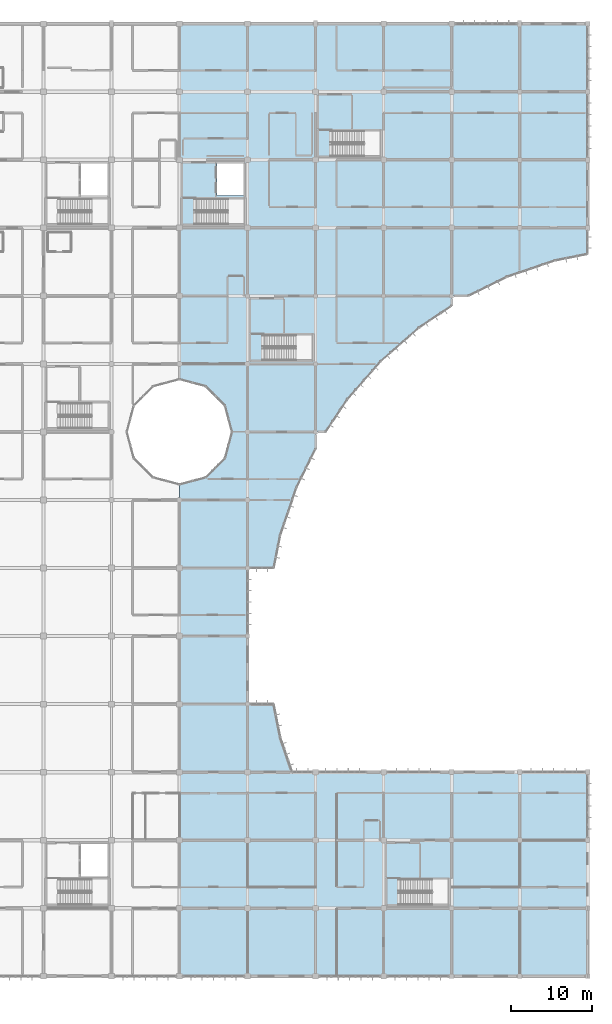
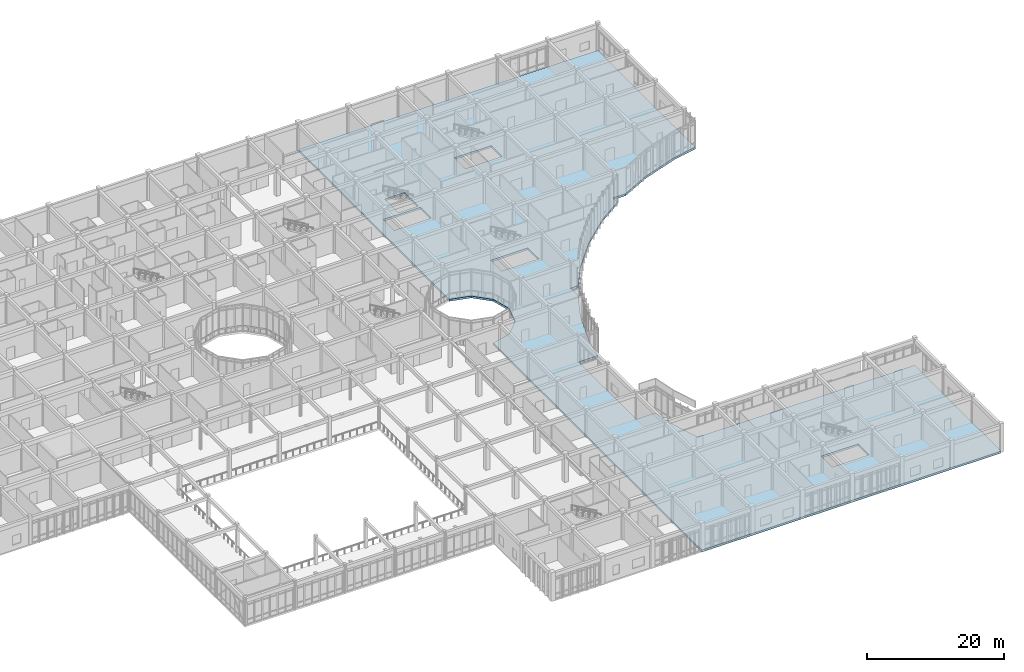
# One storey, part 83 of 134: 1 slab.
"""IFC4 building model written with IfcOpenShell, lengths in metres."""

from ifc_helpers import new_model, si_unit, direction, frame, origin, place, context, subcontext, project, spatial, polyline, outline, extrude, material, layer, layer_set, type_object, element, save


model = new_model("IFC4")

# Units and contexts
model_context = context("Model", 3, precision=1e-05, world=origin(), true_north=direction((0.0, 1.0)))
body_context = subcontext(model_context, "Body", "Model", "MODEL_VIEW")
ifc_project = project(units=[si_unit("LENGTHUNIT", "METRE"), si_unit("AREAUNIT", "SQUARE_METRE"), si_unit("VOLUMEUNIT", "CUBIC_METRE"), si_unit("PLANEANGLEUNIT", "RADIAN"), si_unit("MASSUNIT", "GRAM", prefix="KILO")], contexts=[model_context])

# Site, building, storey
site_placement = place(None, origin())
site = spatial("IfcSite", under=ifc_project, at=site_placement, CompositionType="ELEMENT")
building_placement = place(site_placement, origin())
building = spatial("IfcBuilding", under=site, at=building_placement, Name="Bramfleet General Hospital", CompositionType="ELEMENT")
storey_placement = place(building_placement, frame((0.0, 0.0, 9.300048828125)))
storey = spatial("IfcBuildingStorey", under=building, at=storey_placement, Name="L02", CompositionType="ELEMENT", Elevation=9.300048828125)

# Slab
ifc_material = material(Name="Concrete C35/45", Category="concrete")
ifc_layer = layer(ifc_material, 0.35009765625, Name="SL-FLR-350")
ifc_layer_set = layer_set([ifc_layer], Name="Concrete C35/45")
slab_type = type_object("IfcSlabType", Name="SL-FLR-350", PredefinedType="FLOOR", material=ifc_layer_set)
slab_placement = place(storey_placement, frame((0.0, 0.0, -0.35009765625)))
element("IfcSlab", 1, at=slab_placement, inside=storey, type_object=slab_type, Name="L02 Structural Floor Slab (EAST)", PredefinedType="FLOOR", context=body_context, shape_type="SweptSolid", body=[
    extrude(outline(polyline([(126.0, 117.60009765625), (134.39990234375, 117.60009765625), (142.800048828125, 117.60009765625), (151.199951171875, 117.60009765625), (159.60009765625, 117.60009765625), (168.0, 117.60009765625), (168.0, 109.199951171875), (168.0, 100.800048828125), (168.0, 92.39990234375), (168.0, 89.164794921875), (163.976806640625, 88.364501953125), (158.03125, 86.34619140625), (153.273681640625, 84.0), (151.199951171875, 84.0), (151.199951171875, 82.767333984375), (147.179443359375, 80.0810546875), (142.458984375, 75.941162109375), (138.319091796875, 71.220458984375), (135.632568359375, 67.199951171875), (134.39990234375, 67.199951171875), (134.39990234375, 65.12646484375), (132.0537109375, 60.368896484375), (130.03564453125, 54.42333984375), (129.2353515625, 50.39990234375), (126.0, 50.39990234375), (126.0, 42.0), (126.0, 33.60009765625), (129.2353515625, 33.60009765625), (130.03564453125, 29.57666015625), (131.521240234375, 25.199951171875), (168.0, 25.199951171875), (168.0, 16.800048828125), (168.0, 8.39990234375), (168.0, 0.0), (159.60009765625, 0.0), (151.199951171875, 0.0), (142.800048828125, 0.0), (134.39990234375, 0.0), (126.0, 0.0), (117.60009765625, 0.0), (117.60009765625, 60.800048828125), (120.800048828125, 61.657470703125), (123.142578125, 64.0), (124.0, 67.199951171875), (123.142578125, 70.39990234375), (120.800048828125, 72.74267578125), (117.60009765625, 73.60009765625), (117.60009765625, 117.60009765625), (126.0, 117.60009765625)]), holes=[polyline([(119.43994140625, 92.820068359375), (125.659912109375, 92.820068359375), (125.659912109375, 95.97998046875), (119.43994140625, 95.97998046875), (119.43994140625, 92.820068359375)]), polyline([(122.219970703125, 96.39990234375), (125.550048828125, 96.39990234375), (125.550048828125, 100.35009765625), (122.219970703125, 100.35009765625), (122.219970703125, 96.39990234375)]), polyline([(136.239990234375, 101.219970703125), (142.4599609375, 101.219970703125), (142.4599609375, 104.3798828125), (136.239990234375, 104.3798828125), (136.239990234375, 101.219970703125)]), polyline([(144.639892578125, 8.820068359375), (150.860107421875, 8.820068359375), (150.860107421875, 11.97998046875), (144.639892578125, 11.97998046875), (144.639892578125, 8.820068359375)]), polyline([(127.840087890625, 76.02001953125), (134.06005859375, 76.02001953125), (134.06005859375, 79.179931640625), (127.840087890625, 79.179931640625), (127.840087890625, 76.02001953125)])]), origin(), (0.0, 0.0, 1.0), 0.35009765625),
])

save(model, "model.ifc")
